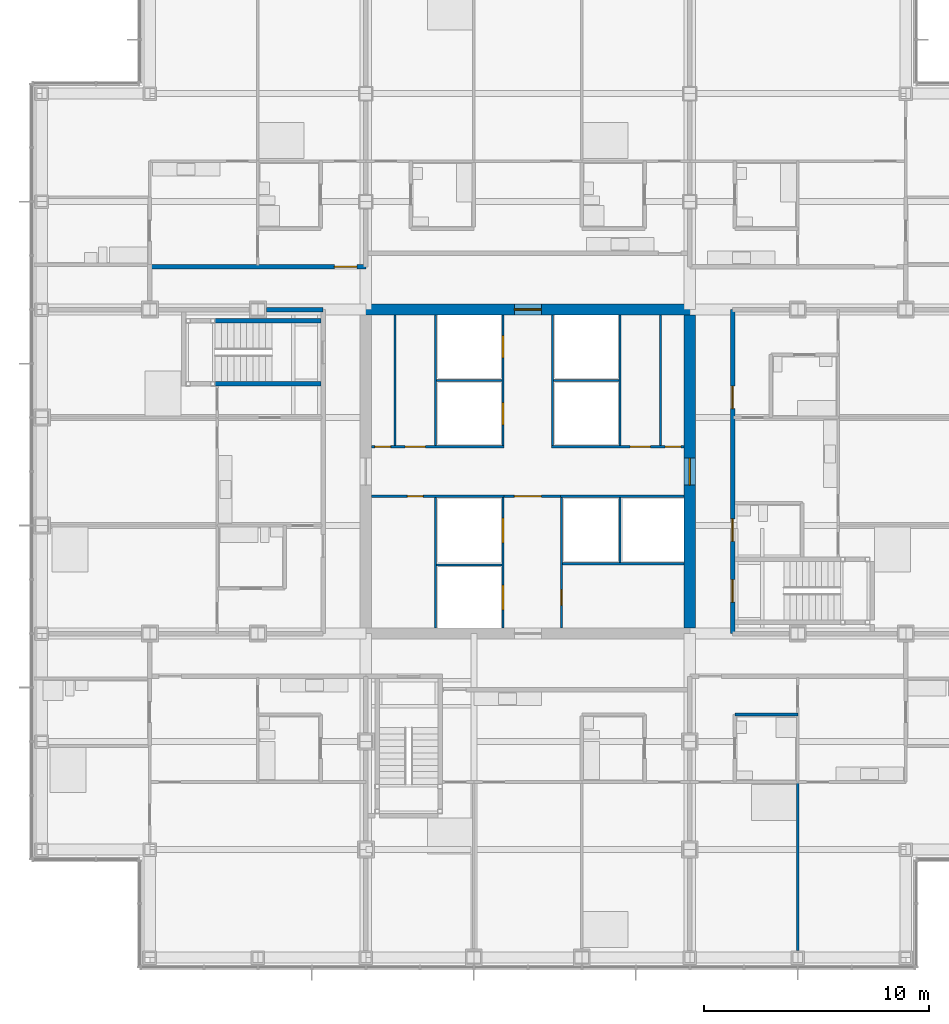
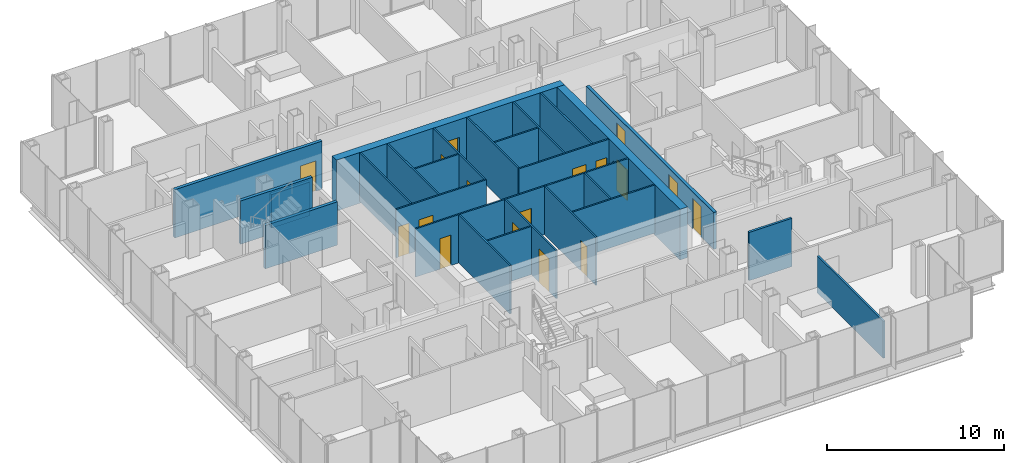
# One storey, part 15 of 21: 28 walls, 17 doors, 17 openings.
"""IFC4 building model written with IfcOpenShell, lengths in metres."""

from ifc_helpers import new_model, si_unit, direction, frame, frame_2d, origin, place, context, subcontext, project, spatial, rectangle, extrude, material, layer, layer_set, type_object, element, fill, save


model = new_model("IFC4")

# Units and contexts
model_context = context("Model", 3, precision=1e-05, world=origin(), true_north=direction((0.0, 1.0)))
body_context = subcontext(model_context, "Body", "Model", "MODEL_VIEW")
ifc_project = project(units=[si_unit("LENGTHUNIT", "METRE"), si_unit("AREAUNIT", "SQUARE_METRE"), si_unit("VOLUMEUNIT", "CUBIC_METRE"), si_unit("PLANEANGLEUNIT", "RADIAN"), si_unit("MASSUNIT", "GRAM", prefix="KILO")], contexts=[model_context])

# Site, building, storey
site_placement = place(None, origin())
site = spatial("IfcSite", under=ifc_project, at=site_placement, CompositionType="ELEMENT")
building_placement = place(site_placement, origin())
building = spatial("IfcBuilding", under=site, at=building_placement, Name="Kvirike Care Tower", CompositionType="ELEMENT")
storey_placement = place(building_placement, frame((0.0, 0.0, 62.0)))
storey = spatial("IfcBuildingStorey", under=building, at=storey_placement, Name="L16", CompositionType="ELEMENT", Elevation=62.0)

# Wall
ifc_material_1 = material(Name="Moisture-resistant board partition", Category="gypsum")
ifc_layer_1 = layer(ifc_material_1, 0.14990234375)
ifc_layer_set_1 = layer_set([ifc_layer_1], Name="BATHROOM WALL 150")
wall_type_1 = type_object("IfcWallType", Name="BATHROOM WALL 150", PredefinedType="PARTITIONING", material=ifc_layer_set_1)
wall_1_placement = place(storey_placement, frame((30.800048828125, 25.199951171875, 0.0), z_axis=(0.0, 0.0, 1.0), x_axis=(1.0, 0.0, 0.0)))
element("IfcWall", 1, at=wall_1_placement, inside=storey, type_object=wall_type_1, Name="Bathroom Wall 150 L16", PredefinedType="PARTITIONING", context=body_context, shape_type="SweptSolid", body=[
    extrude(rectangle(XDim=2.800048828125, YDim=0.14990234375, at=frame_2d((1.39990234375, 0.0))), origin(), (0.0, 0.0, 1.0), 3.330078125),
])

# Wall, opening, door
ifc_material_2 = material(Name="Concrete C60/75", Category="concrete")
ifc_layer_2 = layer(ifc_material_2, 0.5)
ifc_layer_set_2 = layer_set([ifc_layer_2], Name="CORE WALL 500 C60-75")
wall_type_2 = type_object("IfcWallType", Name="CORE WALL 500 C60-75", PredefinedType="SHEAR", material=ifc_layer_set_2)
wall_2_placement = place(storey_placement, frame((29.050048828125, 43.199951171875, -0.169921875), z_axis=(0.0, 0.0, 1.0), x_axis=(-1.0, 0.0, 0.0)))
wall_2 = element("IfcWall", 2, at=wall_2_placement, inside=storey, type_object=wall_type_2, Name="Core wall N L16", PredefinedType="SHEAR", context=body_context, shape_type="SweptSolid", body=[
    extrude(rectangle(XDim=14.900146484375, YDim=0.5, at=frame_2d((7.4501953125, 0.0))), origin(), (0.0, 0.0, 1.0), 3.5),
])
opening_1_placement = place(wall_2_placement, frame((6.85009765625, 0.0, 0.169921875)))
opening_1 = element("IfcOpeningElement", 3, at=opening_1_placement, cuts=wall_2, Name="Opening 16-067", PredefinedType="OPENING", context=body_context, shape_type="SweptSolid", body=[
    extrude(rectangle(XDim=1.199951171875, YDim=2.10009765625, at=frame_2d((0.60009765625, 1.050048828125))), frame((0.0, 0.260498046875, 0.0), z_axis=(0.0, -1.0, 0.0), x_axis=(1.0, 0.0, 0.0)), (0.0, 0.0, 1.0), 0.52099609375),
])
ifc_material_3 = material(Name="Timber door set", Category="wood")
door_type_1 = type_object("IfcDoorType", Name="CORE DOOR 1200", OperationType="SINGLE_SWING_LEFT", PredefinedType="DOOR", material=ifc_material_3)
door_1_placement = place(opening_1_placement, origin())
door_1 = element("IfcDoor", 4, at=door_1_placement, inside=storey, type_object=door_type_1, Name="Core door N L16", OperationType="SINGLE_SWING_LEFT", OverallHeight=2.10009765625, OverallWidth=1.199951171875, PredefinedType="DOOR", context=body_context, shape_type="SweptSolid", body=[
    extrude(rectangle(XDim=1.199951171875, YDim=2.10009765625, at=frame_2d((0.60009765625, 1.050048828125))), frame((0.0, 0.02685546875, 0.0), z_axis=(0.0, -1.0, 0.0), x_axis=(1.0, 0.0, 0.0)), (0.0, 0.0, 1.0), 0.053955078125),
])
fill(opening_1, door_1)

wall_3_placement = place(storey_placement, frame((28.800048828125, 29.050048828125, -0.169921875), z_axis=(0.0, 0.0, 1.0), x_axis=(0.0, 1.0, 0.0)))
wall_3 = element("IfcWall", 5, at=wall_3_placement, inside=storey, type_object=wall_type_2, Name="Core wall E L16", PredefinedType="SHEAR", context=body_context, shape_type="SweptSolid", body=[
    extrude(rectangle(XDim=13.89990234375, YDim=0.5, at=frame_2d((6.949951171875, 0.0))), origin(), (0.0, 0.0, 1.0), 3.5),
])
opening_2_placement = place(wall_3_placement, frame((6.35009765625, 0.0, 0.169921875)))
opening_2 = element("IfcOpeningElement", 6, at=opening_2_placement, cuts=wall_3, Name="Opening 16-066", PredefinedType="OPENING", context=body_context, shape_type="SweptSolid", body=[
    extrude(rectangle(XDim=1.199951171875, YDim=2.10009765625, at=frame_2d((0.60009765625, 1.050048828125))), frame((0.0, 0.260498046875, 0.0), z_axis=(0.0, -1.0, 0.0), x_axis=(1.0, 0.0, 0.0)), (0.0, 0.0, 1.0), 0.52099609375),
])
door_2_placement = place(opening_2_placement, origin())
door_2 = element("IfcDoor", 7, at=door_2_placement, inside=storey, type_object=door_type_1, Name="Core door E L16", OperationType="SINGLE_SWING_LEFT", OverallHeight=2.10009765625, OverallWidth=1.199951171875, PredefinedType="DOOR", context=body_context, shape_type="SweptSolid", body=[
    extrude(rectangle(XDim=1.199951171875, YDim=2.10009765625, at=frame_2d((0.60009765625, 1.050048828125))), frame((0.0, 0.02685546875, 0.0), z_axis=(0.0, -1.0, 0.0), x_axis=(1.0, 0.0, 0.0)), (0.0, 0.0, 1.0), 0.053955078125),
])
fill(opening_2, door_2)

ifc_material_4 = material(Name="Plasterboard corridor wall", Category="gypsum")
ifc_layer_3 = layer(ifc_material_4, 0.199951171875)
ifc_layer_set_3 = layer_set([ifc_layer_3], Name="CORRIDOR WALL 200")
wall_type_3 = type_object("IfcWallType", Name="CORRIDOR WALL 200", PredefinedType="PARTITIONING", material=ifc_layer_set_3)
wall_4_placement = place(storey_placement, frame((14.39990234375, 45.10009765625, 0.0), z_axis=(0.0, 0.0, 1.0), x_axis=(-1.0, 0.0, 0.0)))
wall_4 = element("IfcWall", 8, at=wall_4_placement, inside=storey, type_object=wall_type_3, Name="Corridor Wall 200 L16", PredefinedType="PARTITIONING", context=body_context, shape_type="SweptSolid", body=[
    extrude(rectangle(XDim=9.599853515625, YDim=0.199951171875, at=frame_2d((4.7998046875, 0.0))), origin(), (0.0, 0.0, 1.0), 3.330078125),
])
opening_3_placement = place(wall_4_placement, frame((0.39990234375, 0.0, 0.0)))
opening_3 = element("IfcOpeningElement", 9, at=opening_3_placement, cuts=wall_4, Name="Opening 16-020", PredefinedType="OPENING", context=body_context, shape_type="SweptSolid", body=[
    extrude(rectangle(XDim=1.0, YDim=2.10009765625, at=frame_2d((0.5, 1.050048828125))), frame((0.0, 0.110595703125, 0.0), z_axis=(0.0, -1.0, 0.0), x_axis=(1.0, 0.0, 0.0)), (0.0, 0.0, 1.0), 0.220947265625),
])
ifc_material_5 = material(Name="Timber door set", Category="wood")
door_type_2 = type_object("IfcDoorType", Name="FLAT ENTRANCE DOOR 1000", OperationType="SINGLE_SWING_LEFT", PredefinedType="DOOR", material=ifc_material_5)
door_3_placement = place(opening_3_placement, frame((1.0, 0.0, 0.0), z_axis=(0.0, 0.0, 1.0), x_axis=(-1.0, 0.0, 0.0)))
door_3 = element("IfcDoor", 10, at=door_3_placement, inside=storey, type_object=door_type_2, Name="One-bedroom apartment entrance", OperationType="SINGLE_SWING_LEFT", OverallHeight=2.10009765625, OverallWidth=1.0, PredefinedType="DOOR", context=body_context, shape_type="SweptSolid", body=[
    extrude(rectangle(XDim=1.0, YDim=2.10009765625, at=frame_2d((0.5, 1.050048828125))), frame((0.0, 0.02685546875, 0.0), z_axis=(0.0, -1.0, 0.0), x_axis=(1.0, 0.0, 0.0)), (0.0, 0.0, 1.0), 0.053955078125),
])
fill(opening_3, door_3)

# Wall, openings, doors
wall_5_placement = place(storey_placement, frame((30.699951171875, 28.800048828125, 0.0), z_axis=(0.0, 0.0, 1.0), x_axis=(0.0, 1.0, 0.0)))
wall_5 = element("IfcWall", 11, at=wall_5_placement, inside=storey, type_object=wall_type_3, Name="Corridor Wall 200 L16", PredefinedType="PARTITIONING", context=body_context, shape_type="SweptSolid", body=[
    extrude(rectangle(XDim=14.39990234375, YDim=0.199951171875, at=frame_2d((7.199951171875, 0.0))), origin(), (0.0, 0.0, 1.0), 2.550048828125),
])
opening_4_placement = place(wall_5_placement, frame((1.39990234375, 0.0, 0.0)))
opening_4 = element("IfcOpeningElement", 12, at=opening_4_placement, cuts=wall_5, Name="Opening 16-044", PredefinedType="OPENING", context=body_context, shape_type="SweptSolid", body=[
    extrude(rectangle(XDim=1.0, YDim=2.10009765625, at=frame_2d((0.5, 1.050048828125))), frame((0.0, 0.110595703125, 0.0), z_axis=(0.0, -1.0, 0.0), x_axis=(1.0, 0.0, 0.0)), (0.0, 0.0, 1.0), 0.220947265625),
])
opening_5_placement = place(wall_5_placement, frame((4.10009765625, 0.0, 0.0)))
opening_5 = element("IfcOpeningElement", 13, at=opening_5_placement, cuts=wall_5, Name="Opening 16-045", PredefinedType="OPENING", context=body_context, shape_type="SweptSolid", body=[
    extrude(rectangle(XDim=1.0, YDim=2.10009765625, at=frame_2d((0.5, 1.050048828125))), frame((0.0, 0.110595703125, 0.0), z_axis=(0.0, -1.0, 0.0), x_axis=(1.0, 0.0, 0.0)), (0.0, 0.0, 1.0), 0.220947265625),
])
opening_6_placement = place(wall_5_placement, frame((10.0, 0.0, 0.0)))
opening_6 = element("IfcOpeningElement", 14, at=opening_6_placement, cuts=wall_5, Name="Opening 16-046", PredefinedType="OPENING", context=body_context, shape_type="SweptSolid", body=[
    extrude(rectangle(XDim=1.0, YDim=2.10009765625, at=frame_2d((0.5, 1.050048828125))), frame((0.0, 0.110595703125, 0.0), z_axis=(0.0, -1.0, 0.0), x_axis=(1.0, 0.0, 0.0)), (0.0, 0.0, 1.0), 0.220947265625),
])
door_4_placement = place(opening_6_placement, frame((1.0, 0.0, 0.0), z_axis=(0.0, 0.0, 1.0), x_axis=(-1.0, 0.0, 0.0)))
door_4 = element("IfcDoor", 15, at=door_4_placement, inside=storey, type_object=door_type_2, Name="Two-bedroom apartment entrance", OperationType="SINGLE_SWING_LEFT", OverallHeight=2.10009765625, OverallWidth=1.0, PredefinedType="DOOR", context=body_context, shape_type="SweptSolid", body=[
    extrude(rectangle(XDim=1.0, YDim=2.10009765625, at=frame_2d((0.5, 1.050048828125))), frame((0.0, 0.02685546875, 0.0), z_axis=(0.0, -1.0, 0.0), x_axis=(1.0, 0.0, 0.0)), (0.0, 0.0, 1.0), 0.053955078125),
])
fill(opening_6, door_4)
ifc_material_6 = material(Name="Timber door set", Category="wood")
door_type_3 = type_object("IfcDoorType", Name="STAIR DOOR 1000", OperationType="SINGLE_SWING_LEFT", PredefinedType="DOOR", material=ifc_material_6)
door_5_placement = place(opening_4_placement, frame((1.0, 0.0, 0.0), z_axis=(0.0, 0.0, 1.0), x_axis=(-1.0, 0.0, 0.0)))
door_5 = element("IfcDoor", 16, at=door_5_placement, inside=storey, type_object=door_type_3, Name="Stair 2 door", OperationType="SINGLE_SWING_LEFT", OverallHeight=2.10009765625, OverallWidth=1.0, PredefinedType="DOOR", context=body_context, shape_type="SweptSolid", body=[
    extrude(rectangle(XDim=1.0, YDim=2.10009765625, at=frame_2d((0.5, 1.050048828125))), frame((0.0, 0.031982421875, 0.0), z_axis=(0.0, -1.0, 0.0), x_axis=(1.0, 0.0, 0.0)), (0.0, 0.0, 1.0), 0.06396484375),
])
fill(opening_4, door_5)
ifc_material_7 = material(Name="Timber door set", Category="wood")
door_type_4 = type_object("IfcDoorType", Name="WC DOOR 1000", OperationType="SINGLE_SWING_LEFT", PredefinedType="DOOR", material=ifc_material_7)
door_6_placement = place(opening_5_placement, frame((1.0, 0.0, 0.0), z_axis=(0.0, 0.0, 1.0), x_axis=(-1.0, 0.0, 0.0)))
door_6 = element("IfcDoor", 17, at=door_6_placement, inside=storey, type_object=door_type_4, Name="Accessible WC door", OperationType="SINGLE_SWING_LEFT", OverallHeight=2.10009765625, OverallWidth=1.0, PredefinedType="DOOR", context=body_context, shape_type="SweptSolid", body=[
    extrude(rectangle(XDim=1.0, YDim=2.10009765625, at=frame_2d((0.5, 1.050048828125))), frame((0.0, 0.02685546875, 0.0), z_axis=(0.0, -1.0, 0.0), x_axis=(1.0, 0.0, 0.0)), (0.0, 0.0, 1.0), 0.053955078125),
])
fill(opening_5, door_6)

# Walls
ifc_material_8 = material(Name="Plasterboard partition", Category="gypsum")
ifc_layer_4 = layer(ifc_material_8, 0.1201171875)
ifc_layer_set_4 = layer_set([ifc_layer_4], Name="PARTITION 120")
wall_type_4 = type_object("IfcWallType", Name="PARTITION 120", PredefinedType="PARTITIONING", material=ifc_layer_set_4)
wall_6_placement = place(storey_placement, frame((33.60009765625, 14.719970703125, 0.0), z_axis=(0.0, 0.0, 1.0), x_axis=(0.0, 1.0, 0.0)))
element("IfcWall", 18, at=wall_6_placement, inside=storey, type_object=wall_type_4, Name="Partition 120 L16", PredefinedType="PARTITIONING", context=body_context, shape_type="SweptSolid", body=[
    extrude(rectangle(XDim=7.47998046875, YDim=0.1201171875, at=frame_2d((3.739990234375, 0.0))), origin(), (0.0, 0.0, 1.0), 2.550048828125),
])
ifc_material_9 = material(Name="Plasterboard party wall", Category="gypsum")
ifc_layer_5 = layer(ifc_material_9, 0.199951171875)
ifc_layer_set_5 = layer_set([ifc_layer_5], Name="PARTY WALL 200")
wall_type_5 = type_object("IfcWallType", Name="PARTY WALL 200", PredefinedType="PARTITIONING", material=ifc_layer_set_5)
wall_7_placement = place(storey_placement, frame((12.5, 43.199951171875, 0.0), z_axis=(0.0, 0.0, 1.0), x_axis=(-1.0, 0.0, 0.0)))
element("IfcWall", 19, at=wall_7_placement, inside=storey, type_object=wall_type_5, Name="Party Wall 200 L16", PredefinedType="PARTITIONING", context=body_context, shape_type="SweptSolid", body=[
    extrude(rectangle(XDim=2.5048828125, YDim=0.199951171875, at=frame_2d((1.25244140625, 0.0))), origin(), (0.0, 0.0, 1.0), 2.320068359375),
])
ifc_material_10 = material(Name="Gypsum shaft wall system", Category="gypsum")
ifc_layer_6 = layer(ifc_material_10, 0.10009765625)
ifc_layer_set_6 = layer_set([ifc_layer_6], Name="SHAFT WALL 100")
wall_type_6 = type_object("IfcWallType", Name="SHAFT WALL 100", PredefinedType="SOLIDWALL", material=ifc_layer_set_6)
for number, where, z_axis, x_axis, name in (
    (20, (15.699951171875, 37.14990234375, 0.0), (0.0, 0.0, 1.0), (0.0, 1.0, 0.0), "Shaft Wall 100 L16"),
    (21, (27.5, 37.14990234375, 0.0), (0.0, 0.0, 1.0), (0.0, 1.0, 0.0), "Shaft Wall 100 L16"),
):
    element("IfcWall", number, at=place(storey_placement, frame(where, z_axis=z_axis, x_axis=x_axis)), inside=storey, type_object=wall_type_6, Name=name, PredefinedType="SOLIDWALL", context=body_context, shape_type="SweptSolid", body=[
        extrude(rectangle(XDim=5.800048828125, YDim=0.10009765625, at=frame_2d((2.89990234375, 0.0))), origin(), (0.0, 0.0, 1.0), 3.330078125),
    ])

# Wall, openings, doors
wall_8_placement = place(storey_placement, frame((20.5, 29.050048828125, 0.0), z_axis=(0.0, 0.0, 1.0), x_axis=(0.0, 1.0, 0.0)))
wall_8 = element("IfcWall", 22, at=wall_8_placement, inside=storey, type_object=wall_type_6, Name="Shaft Wall 100 L16", PredefinedType="SOLIDWALL", context=body_context, shape_type="SweptSolid", body=[
    extrude(rectangle(XDim=5.800048828125, YDim=0.10009765625, at=frame_2d((2.89990234375, 0.0))), origin(), (0.0, 0.0, 1.0), 3.330078125),
])
opening_7_placement = place(wall_8_placement, frame((0.800048828125, 0.0, 0.0)))
opening_7 = element("IfcOpeningElement", 23, at=opening_7_placement, cuts=wall_8, Name="Opening 16-053", PredefinedType="OPENING", context=body_context, shape_type="SweptSolid", body=[
    extrude(rectangle(XDim=1.10009765625, YDim=2.300048828125, at=frame_2d((0.550048828125, 1.14990234375))), frame((0.0, 0.060546875, 0.0), z_axis=(0.0, -1.0, 0.0), x_axis=(1.0, 0.0, 0.0)), (0.0, 0.0, 1.0), 0.12109375),
])
opening_8_placement = place(wall_8_placement, frame((3.77490234375, 0.0, 0.0)))
opening_8 = element("IfcOpeningElement", 24, at=opening_8_placement, cuts=wall_8, Name="Opening 16-054", PredefinedType="OPENING", context=body_context, shape_type="SweptSolid", body=[
    extrude(rectangle(XDim=1.10009765625, YDim=2.300048828125, at=frame_2d((0.550048828125, 1.14990234375))), frame((0.0, 0.060546875, 0.0), z_axis=(0.0, -1.0, 0.0), x_axis=(1.0, 0.0, 0.0)), (0.0, 0.0, 1.0), 0.12109375),
])
ifc_material_11 = material(Name="Aluminium door frame", Category="aluminium")
door_type_5 = type_object("IfcDoorType", Name="FIRE-FIGHTING LIFT LANDING DOOR 1100", OperationType="SLIDING_TO_LEFT", PredefinedType="DOOR", material=ifc_material_11)
door_7_placement = place(opening_7_placement, origin())
door_7 = element("IfcDoor", 25, at=door_7_placement, inside=storey, type_object=door_type_5, Name="Lift FF1 landing door", OperationType="SLIDING_TO_LEFT", OverallHeight=2.300048828125, OverallWidth=1.10009765625, PredefinedType="DOOR", context=body_context, shape_type="SweptSolid", body=[
    extrude(rectangle(XDim=1.10009765625, YDim=2.300048828125, at=frame_2d((0.550048828125, 1.14990234375))), frame((0.0, 0.0498046875, 0.0), z_axis=(0.0, -1.0, 0.0), x_axis=(1.0, 0.0, 0.0)), (0.0, 0.0, 1.0), 0.099609375),
])
fill(opening_7, door_7)
door_8_placement = place(opening_8_placement, origin())
door_8 = element("IfcDoor", 26, at=door_8_placement, inside=storey, type_object=door_type_5, Name="Lift FF2 landing door", OperationType="SLIDING_TO_LEFT", OverallHeight=2.300048828125, OverallWidth=1.10009765625, PredefinedType="DOOR", context=body_context, shape_type="SweptSolid", body=[
    extrude(rectangle(XDim=1.10009765625, YDim=2.300048828125, at=frame_2d((0.550048828125, 1.14990234375))), frame((0.0, 0.0498046875, 0.0), z_axis=(0.0, -1.0, 0.0), x_axis=(1.0, 0.0, 0.0)), (0.0, 0.0, 1.0), 0.099609375),
])
fill(opening_8, door_8)

wall_9_placement = place(storey_placement, frame((20.5, 37.14990234375, 0.0), z_axis=(0.0, 0.0, 1.0), x_axis=(0.0, 1.0, 0.0)))
wall_9 = element("IfcWall", 27, at=wall_9_placement, inside=storey, type_object=wall_type_6, Name="Shaft Wall 100 L16", PredefinedType="SOLIDWALL", context=body_context, shape_type="SweptSolid", body=[
    extrude(rectangle(XDim=5.800048828125, YDim=0.10009765625, at=frame_2d((2.89990234375, 0.0))), origin(), (0.0, 0.0, 1.0), 3.330078125),
])
opening_9_placement = place(wall_9_placement, frame((0.925048828125, 0.0, 0.0)))
opening_9 = element("IfcOpeningElement", 28, at=opening_9_placement, cuts=wall_9, Name="Opening 16-055", PredefinedType="OPENING", context=body_context, shape_type="SweptSolid", body=[
    extrude(rectangle(XDim=1.0, YDim=2.10009765625, at=frame_2d((0.5, 1.050048828125))), frame((0.0, 0.060546875, 0.0), z_axis=(0.0, -1.0, 0.0), x_axis=(1.0, 0.0, 0.0)), (0.0, 0.0, 1.0), 0.12109375),
])
opening_10_placement = place(wall_9_placement, frame((3.89990234375, 0.0, 0.0)))
opening_10 = element("IfcOpeningElement", 29, at=opening_10_placement, cuts=wall_9, Name="Opening 16-056", PredefinedType="OPENING", context=body_context, shape_type="SweptSolid", body=[
    extrude(rectangle(XDim=1.0, YDim=2.10009765625, at=frame_2d((0.5, 1.050048828125))), frame((0.0, 0.060546875, 0.0), z_axis=(0.0, -1.0, 0.0), x_axis=(1.0, 0.0, 0.0)), (0.0, 0.0, 1.0), 0.12109375),
])
ifc_material_12 = material(Name="Aluminium door frame", Category="aluminium")
door_type_6 = type_object("IfcDoorType", Name="LIFT LANDING DOOR 1000", OperationType="SLIDING_TO_LEFT", PredefinedType="DOOR", material=ifc_material_12)
door_9_placement = place(opening_9_placement, origin())
door_9 = element("IfcDoor", 30, at=door_9_placement, inside=storey, type_object=door_type_6, Name="Lift P1 landing door", OperationType="SLIDING_TO_LEFT", OverallHeight=2.10009765625, OverallWidth=1.0, PredefinedType="DOOR", context=body_context, shape_type="SweptSolid", body=[
    extrude(rectangle(XDim=1.0, YDim=2.10009765625, at=frame_2d((0.5, 1.050048828125))), frame((0.0, 0.0498046875, 0.0), z_axis=(0.0, -1.0, 0.0), x_axis=(1.0, 0.0, 0.0)), (0.0, 0.0, 1.0), 0.099609375),
])
fill(opening_9, door_9)
door_10_placement = place(opening_10_placement, origin())
door_10 = element("IfcDoor", 31, at=door_10_placement, inside=storey, type_object=door_type_6, Name="Lift P2 landing door", OperationType="SLIDING_TO_LEFT", OverallHeight=2.10009765625, OverallWidth=1.0, PredefinedType="DOOR", context=body_context, shape_type="SweptSolid", body=[
    extrude(rectangle(XDim=1.0, YDim=2.10009765625, at=frame_2d((0.5, 1.050048828125))), frame((0.0, 0.0498046875, 0.0), z_axis=(0.0, -1.0, 0.0), x_axis=(1.0, 0.0, 0.0)), (0.0, 0.0, 1.0), 0.099609375),
])
fill(opening_10, door_10)

# Wall
wall_10_placement = place(storey_placement, frame((22.699951171875, 37.14990234375, 0.0), z_axis=(0.0, 0.0, 1.0), x_axis=(0.0, 1.0, 0.0)))
element("IfcWall", 32, at=wall_10_placement, inside=storey, type_object=wall_type_6, Name="Shaft Wall 100 L16", PredefinedType="SOLIDWALL", context=body_context, shape_type="SweptSolid", body=[
    extrude(rectangle(XDim=5.800048828125, YDim=0.10009765625, at=frame_2d((2.89990234375, 0.0))), origin(), (0.0, 0.0, 1.0), 3.330078125),
])

# Wall, opening, door
wall_11_placement = place(storey_placement, frame((23.10009765625, 29.050048828125, 0.0), z_axis=(0.0, 0.0, 1.0), x_axis=(0.0, 1.0, 0.0)))
wall_11 = element("IfcWall", 33, at=wall_11_placement, inside=storey, type_object=wall_type_6, Name="Shaft Wall 100 L16", PredefinedType="SOLIDWALL", context=body_context, shape_type="SweptSolid", body=[
    extrude(rectangle(XDim=5.800048828125, YDim=0.10009765625, at=frame_2d((2.89990234375, 0.0))), origin(), (0.0, 0.0, 1.0), 3.330078125),
])
opening_11_placement = place(wall_11_placement, frame((1.0, 0.0, 0.0)))
opening_11 = element("IfcOpeningElement", 34, at=opening_11_placement, cuts=wall_11, Name="Opening 16-057", PredefinedType="OPENING", context=body_context, shape_type="SweptSolid", body=[
    extrude(rectangle(XDim=0.699951171875, YDim=2.10009765625, at=frame_2d((0.35009765625, 1.050048828125))), frame((0.0, 0.060546875, 0.0), z_axis=(0.0, -1.0, 0.0), x_axis=(1.0, 0.0, 0.0)), (0.0, 0.0, 1.0), 0.12109375),
])
ifc_material_13 = material(Name="Timber door set", Category="wood")
door_type_7 = type_object("IfcDoorType", Name="RISER DOOR 700", OperationType="SINGLE_SWING_LEFT", PredefinedType="DOOR", material=ifc_material_13)
door_11_placement = place(opening_11_placement, origin())
door_11 = element("IfcDoor", 35, at=door_11_placement, inside=storey, type_object=door_type_7, Name="Riser door", OperationType="SINGLE_SWING_RIGHT", OverallHeight=2.10009765625, OverallWidth=0.699951171875, PredefinedType="DOOR", context=body_context, shape_type="SweptSolid", body=[
    extrude(rectangle(XDim=0.699951171875, YDim=2.10009765625, at=frame_2d((0.35009765625, 1.050048828125))), frame((0.0, 0.02685546875, 0.0), z_axis=(0.0, -1.0, 0.0), x_axis=(1.0, 0.0, 0.0)), (0.0, 0.0, 1.0), 0.053955078125),
])
fill(opening_11, door_11)

wall_12_placement = place(storey_placement, frame((14.64990234375, 34.89990234375, 0.0), z_axis=(0.0, 0.0, 1.0), x_axis=(1.0, 0.0, 0.0)))
wall_12 = element("IfcWall", 36, at=wall_12_placement, inside=storey, type_object=wall_type_6, Name="Shaft Wall 100 L16", PredefinedType="SOLIDWALL", context=body_context, shape_type="SweptSolid", body=[
    extrude(rectangle(XDim=5.900146484375, YDim=0.10009765625, at=frame_2d((2.9501953125, 0.0))), origin(), (0.0, 0.0, 1.0), 3.330078125),
])
opening_12_placement = place(wall_12_placement, frame((1.60009765625, 0.0, 0.0)))
opening_12 = element("IfcOpeningElement", 37, at=opening_12_placement, cuts=wall_12, Name="Opening 16-058", PredefinedType="OPENING", context=body_context, shape_type="SweptSolid", body=[
    extrude(rectangle(XDim=0.699951171875, YDim=2.10009765625, at=frame_2d((0.35009765625, 1.050048828125))), frame((0.0, 0.060546875, 0.0), z_axis=(0.0, -1.0, 0.0), x_axis=(1.0, 0.0, 0.0)), (0.0, 0.0, 1.0), 0.12109375),
])
door_12_placement = place(opening_12_placement, frame((0.699951171875, 0.0, 0.0), z_axis=(0.0, 0.0, 1.0), x_axis=(-1.0, 0.0, 0.0)))
door_12 = element("IfcDoor", 38, at=door_12_placement, inside=storey, type_object=door_type_7, Name="Riser door", OperationType="SINGLE_SWING_RIGHT", OverallHeight=2.10009765625, OverallWidth=0.699951171875, PredefinedType="DOOR", context=body_context, shape_type="SweptSolid", body=[
    extrude(rectangle(XDim=0.699951171875, YDim=2.10009765625, at=frame_2d((0.35009765625, 1.050048828125))), frame((0.0, 0.02685546875, 0.0), z_axis=(0.0, -1.0, 0.0), x_axis=(1.0, 0.0, 0.0)), (0.0, 0.0, 1.0), 0.053955078125),
])
fill(opening_12, door_12)

# Wall
wall_13_placement = place(storey_placement, frame((23.050048828125, 34.89990234375, 0.0), z_axis=(0.0, 0.0, 1.0), x_axis=(1.0, 0.0, 0.0)))
element("IfcWall", 39, at=wall_13_placement, inside=storey, type_object=wall_type_6, Name="Shaft Wall 100 L16", PredefinedType="SOLIDWALL", context=body_context, shape_type="SweptSolid", body=[
    extrude(rectangle(XDim=5.5, YDim=0.10009765625, at=frame_2d((2.75, 0.0))), origin(), (0.0, 0.0, 1.0), 3.330078125),
])

# Wall, openings, doors
wall_14_placement = place(storey_placement, frame((14.64990234375, 37.10009765625, 0.0), z_axis=(0.0, 0.0, 1.0), x_axis=(1.0, 0.0, 0.0)))
wall_14 = element("IfcWall", 40, at=wall_14_placement, inside=storey, type_object=wall_type_6, Name="Shaft Wall 100 L16", PredefinedType="SOLIDWALL", context=body_context, shape_type="SweptSolid", body=[
    extrude(rectangle(XDim=5.900146484375, YDim=0.10009765625, at=frame_2d((2.9501953125, 0.0))), origin(), (0.0, 0.0, 1.0), 3.330078125),
])
opening_13_placement = place(wall_14_placement, frame((0.14990234375, 0.0, 0.0)))
opening_13 = element("IfcOpeningElement", 41, at=opening_13_placement, cuts=wall_14, Name="Opening 16-059", PredefinedType="OPENING", context=body_context, shape_type="SweptSolid", body=[
    extrude(rectangle(XDim=0.699951171875, YDim=2.10009765625, at=frame_2d((0.35009765625, 1.050048828125))), frame((0.0, 0.060546875, 0.0), z_axis=(0.0, -1.0, 0.0), x_axis=(1.0, 0.0, 0.0)), (0.0, 0.0, 1.0), 0.12109375),
])
opening_14_placement = place(wall_14_placement, frame((1.5, 0.0, 0.0)))
opening_14 = element("IfcOpeningElement", 42, at=opening_14_placement, cuts=wall_14, Name="Opening 16-060", PredefinedType="OPENING", context=body_context, shape_type="SweptSolid", body=[
    extrude(rectangle(XDim=0.89990234375, YDim=2.10009765625, at=frame_2d((0.449951171875, 1.050048828125))), frame((0.0, 0.060546875, 0.0), z_axis=(0.0, -1.0, 0.0), x_axis=(1.0, 0.0, 0.0)), (0.0, 0.0, 1.0), 0.12109375),
])
door_13_placement = place(opening_13_placement, origin())
door_13 = element("IfcDoor", 43, at=door_13_placement, inside=storey, type_object=door_type_7, Name="Riser door", OperationType="SINGLE_SWING_RIGHT", OverallHeight=2.10009765625, OverallWidth=0.699951171875, PredefinedType="DOOR", context=body_context, shape_type="SweptSolid", body=[
    extrude(rectangle(XDim=0.699951171875, YDim=2.10009765625, at=frame_2d((0.35009765625, 1.050048828125))), frame((0.0, 0.02685546875, 0.0), z_axis=(0.0, -1.0, 0.0), x_axis=(1.0, 0.0, 0.0)), (0.0, 0.0, 1.0), 0.053955078125),
])
fill(opening_13, door_13)
ifc_material_14 = material(Name="Timber door set", Category="wood")
door_type_8 = type_object("IfcDoorType", Name="STORE DOOR 900", OperationType="SINGLE_SWING_LEFT", PredefinedType="DOOR", material=ifc_material_14)
door_14_placement = place(opening_14_placement, origin())
door_14 = element("IfcDoor", 44, at=door_14_placement, inside=storey, type_object=door_type_8, Name="Linen store door", OperationType="SINGLE_SWING_LEFT", OverallHeight=2.10009765625, OverallWidth=0.89990234375, PredefinedType="DOOR", context=body_context, shape_type="SweptSolid", body=[
    extrude(rectangle(XDim=0.89990234375, YDim=2.10009765625, at=frame_2d((0.449951171875, 1.050048828125))), frame((0.0, 0.02685546875, 0.0), z_axis=(0.0, -1.0, 0.0), x_axis=(1.0, 0.0, 0.0)), (0.0, 0.0, 1.0), 0.053955078125),
])
fill(opening_14, door_14)

wall_15_placement = place(storey_placement, frame((22.64990234375, 37.10009765625, 0.0), z_axis=(0.0, 0.0, 1.0), x_axis=(1.0, 0.0, 0.0)))
wall_15 = element("IfcWall", 45, at=wall_15_placement, inside=storey, type_object=wall_type_6, Name="Shaft Wall 100 L16", PredefinedType="SOLIDWALL", context=body_context, shape_type="SweptSolid", body=[
    extrude(rectangle(XDim=5.900146484375, YDim=0.10009765625, at=frame_2d((2.9501953125, 0.0))), origin(), (0.0, 0.0, 1.0), 3.330078125),
])
opening_15_placement = place(wall_15_placement, frame((3.5, 0.0, 0.0)))
opening_15 = element("IfcOpeningElement", 46, at=opening_15_placement, cuts=wall_15, Name="Opening 16-061", PredefinedType="OPENING", context=body_context, shape_type="SweptSolid", body=[
    extrude(rectangle(XDim=0.89990234375, YDim=2.10009765625, at=frame_2d((0.449951171875, 1.050048828125))), frame((0.0, 0.060546875, 0.0), z_axis=(0.0, -1.0, 0.0), x_axis=(1.0, 0.0, 0.0)), (0.0, 0.0, 1.0), 0.12109375),
])
opening_16_placement = place(wall_15_placement, frame((5.050048828125, 0.0, 0.0)))
opening_16 = element("IfcOpeningElement", 47, at=opening_16_placement, cuts=wall_15, Name="Opening 16-062", PredefinedType="OPENING", context=body_context, shape_type="SweptSolid", body=[
    extrude(rectangle(XDim=0.699951171875, YDim=2.10009765625, at=frame_2d((0.35009765625, 1.050048828125))), frame((0.0, 0.060546875, 0.0), z_axis=(0.0, -1.0, 0.0), x_axis=(1.0, 0.0, 0.0)), (0.0, 0.0, 1.0), 0.12109375),
])
door_15_placement = place(opening_16_placement, origin())
door_15 = element("IfcDoor", 48, at=door_15_placement, inside=storey, type_object=door_type_7, Name="Riser door", OperationType="SINGLE_SWING_LEFT", OverallHeight=2.10009765625, OverallWidth=0.699951171875, PredefinedType="DOOR", context=body_context, shape_type="SweptSolid", body=[
    extrude(rectangle(XDim=0.699951171875, YDim=2.10009765625, at=frame_2d((0.35009765625, 1.050048828125))), frame((0.0, 0.02685546875, 0.0), z_axis=(0.0, -1.0, 0.0), x_axis=(1.0, 0.0, 0.0)), (0.0, 0.0, 1.0), 0.053955078125),
])
fill(opening_16, door_15)
door_16_placement = place(opening_15_placement, origin())
door_16 = element("IfcDoor", 49, at=door_16_placement, inside=storey, type_object=door_type_8, Name="IT room door", OperationType="SINGLE_SWING_LEFT", OverallHeight=2.10009765625, OverallWidth=0.89990234375, PredefinedType="DOOR", context=body_context, shape_type="SweptSolid", body=[
    extrude(rectangle(XDim=0.89990234375, YDim=2.10009765625, at=frame_2d((0.449951171875, 1.050048828125))), frame((0.0, 0.02685546875, 0.0), z_axis=(0.0, -1.0, 0.0), x_axis=(1.0, 0.0, 0.0)), (0.0, 0.0, 1.0), 0.053955078125),
])
fill(opening_15, door_16)

# Wall, opening, door
wall_16_placement = place(storey_placement, frame((20.550048828125, 34.89990234375, 0.0), z_axis=(0.0, 0.0, 1.0), x_axis=(1.0, 0.0, 0.0)))
wall_16 = element("IfcWall", 50, at=wall_16_placement, inside=storey, type_object=wall_type_6, Name="Shaft Wall 100 L16", PredefinedType="SOLIDWALL", context=body_context, shape_type="SweptSolid", body=[
    extrude(rectangle(XDim=2.5, YDim=0.10009765625, at=frame_2d((1.25, 0.0))), origin(), (0.0, 0.0, 1.0), 3.330078125),
])
opening_17_placement = place(wall_16_placement, frame((0.449951171875, 0.0, 0.0)))
opening_17 = element("IfcOpeningElement", 51, at=opening_17_placement, cuts=wall_16, Name="Opening 16-063", PredefinedType="OPENING", context=body_context, shape_type="SweptSolid", body=[
    extrude(rectangle(XDim=1.199951171875, YDim=2.10009765625, at=frame_2d((0.60009765625, 1.050048828125))), frame((0.0, 0.060546875, 0.0), z_axis=(0.0, -1.0, 0.0), x_axis=(1.0, 0.0, 0.0)), (0.0, 0.0, 1.0), 0.12109375),
])
door_17_placement = place(opening_17_placement, frame((1.199951171875, 0.0, 0.0), z_axis=(0.0, 0.0, 1.0), x_axis=(-1.0, 0.0, 0.0)))
door_17 = element("IfcDoor", 52, at=door_17_placement, inside=storey, type_object=door_type_1, Name="Fire-fighting lobby door", OperationType="SINGLE_SWING_LEFT", OverallHeight=2.10009765625, OverallWidth=1.199951171875, PredefinedType="DOOR", context=body_context, shape_type="SweptSolid", body=[
    extrude(rectangle(XDim=1.199951171875, YDim=2.10009765625, at=frame_2d((0.60009765625, 1.050048828125))), frame((0.0, 0.02685546875, 0.0), z_axis=(0.0, -1.0, 0.0), x_axis=(1.0, 0.0, 0.0)), (0.0, 0.0, 1.0), 0.053955078125),
])
fill(opening_17, door_17)

# Walls
wall_17_placement = place(storey_placement, frame((17.5, 29.050048828125, 0.0), z_axis=(0.0, 0.0, 1.0), x_axis=(0.0, 1.0, 0.0)))
element("IfcWall", 53, at=wall_17_placement, inside=storey, type_object=wall_type_6, Name="Shaft Wall 100 L16", PredefinedType="SOLIDWALL", context=body_context, shape_type="SweptSolid", body=[
    extrude(rectangle(XDim=5.800048828125, YDim=0.10009765625, at=frame_2d((2.89990234375, 0.0))), origin(), (0.0, 0.0, 1.0), 3.330078125),
])
wall_18_placement = place(storey_placement, frame((17.550048828125, 31.85009765625, 0.0), z_axis=(0.0, 0.0, 1.0), x_axis=(1.0, 0.0, 0.0)))
element("IfcWall", 54, at=wall_18_placement, inside=storey, type_object=wall_type_6, Name="Shaft Wall 100 L16", PredefinedType="SOLIDWALL", context=body_context, shape_type="SweptSolid", body=[
    extrude(rectangle(XDim=2.89990234375, YDim=0.10009765625, at=frame_2d((1.449951171875, 0.0))), origin(), (0.0, 0.0, 1.0), 3.330078125),
])
wall_19_placement = place(storey_placement, frame((17.5, 37.14990234375, 0.0), z_axis=(0.0, 0.0, 1.0), x_axis=(0.0, 1.0, 0.0)))
element("IfcWall", 55, at=wall_19_placement, inside=storey, type_object=wall_type_6, Name="Shaft Wall 100 L16", PredefinedType="SOLIDWALL", context=body_context, shape_type="SweptSolid", body=[
    extrude(rectangle(XDim=5.800048828125, YDim=0.10009765625, at=frame_2d((2.89990234375, 0.0))), origin(), (0.0, 0.0, 1.0), 3.330078125),
])
for number, where, z_axis, x_axis, name in (
    (56, (17.550048828125, 40.050048828125, 0.0), (0.0, 0.0, 1.0), (1.0, 0.0, 0.0), "Shaft Wall 100 L16"),
    (57, (22.75, 40.050048828125, 0.0), (0.0, 0.0, 1.0), (1.0, 0.0, 0.0), "Shaft Wall 100 L16"),
):
    element("IfcWall", number, at=place(storey_placement, frame(where, z_axis=z_axis, x_axis=x_axis)), inside=storey, type_object=wall_type_6, Name=name, PredefinedType="SOLIDWALL", context=body_context, shape_type="SweptSolid", body=[
        extrude(rectangle(XDim=2.89990234375, YDim=0.10009765625, at=frame_2d((1.449951171875, 0.0))), origin(), (0.0, 0.0, 1.0), 3.330078125),
    ])
wall_20_placement = place(storey_placement, frame((25.699951171875, 37.14990234375, 0.0), z_axis=(0.0, 0.0, 1.0), x_axis=(0.0, 1.0, 0.0)))
element("IfcWall", 58, at=wall_20_placement, inside=storey, type_object=wall_type_6, Name="Shaft Wall 100 L16", PredefinedType="SOLIDWALL", context=body_context, shape_type="SweptSolid", body=[
    extrude(rectangle(XDim=5.800048828125, YDim=0.10009765625, at=frame_2d((2.89990234375, 0.0))), origin(), (0.0, 0.0, 1.0), 3.330078125),
])
wall_21_placement = place(storey_placement, frame((25.699951171875, 31.949951171875, 0.0), z_axis=(0.0, 0.0, 1.0), x_axis=(0.0, 1.0, 0.0)))
element("IfcWall", 59, at=wall_21_placement, inside=storey, type_object=wall_type_6, Name="Shaft Wall 100 L16", PredefinedType="SOLIDWALL", context=body_context, shape_type="SweptSolid", body=[
    extrude(rectangle(XDim=2.900146484375, YDim=0.10009765625, at=frame_2d((1.4501953125, 0.0))), origin(), (0.0, 0.0, 1.0), 3.330078125),
])
wall_22_placement = place(storey_placement, frame((23.14990234375, 31.89990234375, 0.0), z_axis=(0.0, 0.0, 1.0), x_axis=(1.0, 0.0, 0.0)))
element("IfcWall", 60, at=wall_22_placement, inside=storey, type_object=wall_type_6, Name="Shaft Wall 100 L16", PredefinedType="SOLIDWALL", context=body_context, shape_type="SweptSolid", body=[
    extrude(rectangle(XDim=5.400146484375, YDim=0.10009765625, at=frame_2d((2.7001953125, 0.0))), origin(), (0.0, 0.0, 1.0), 3.330078125),
])
ifc_material_15 = material(Name="Concrete C40/50", Category="concrete")
ifc_layer_7 = layer(ifc_material_15, 0.199951171875)
ifc_layer_set_7 = layer_set([ifc_layer_7], Name="STAIR WALL 200")
wall_type_7 = type_object("IfcWallType", Name="STAIR WALL 200", PredefinedType="SOLIDWALL", material=ifc_layer_set_7)
for number, where, z_axis, x_axis, name in (
    (61, (7.699951171875, 42.699951171875, 0.0), (0.0, 0.0, 1.0), (1.0, 0.0, 0.0), "Stair Wall 200 L16"),
    (62, (7.699951171875, 39.89990234375, 0.0), (0.0, 0.0, 1.0), (1.0, 0.0, 0.0), "Stair Wall 200 L16"),
):
    element("IfcWall", number, at=place(storey_placement, frame(where, z_axis=z_axis, x_axis=x_axis)), inside=storey, type_object=wall_type_7, Name=name, PredefinedType="SOLIDWALL", context=body_context, shape_type="SweptSolid", body=[
        extrude(rectangle(XDim=4.699951171875, YDim=0.199951171875, at=frame_2d((2.35009765625, 0.0))), origin(), (0.0, 0.0, 1.0), 2.989990234375),
    ])

save(model, "model.ifc")
